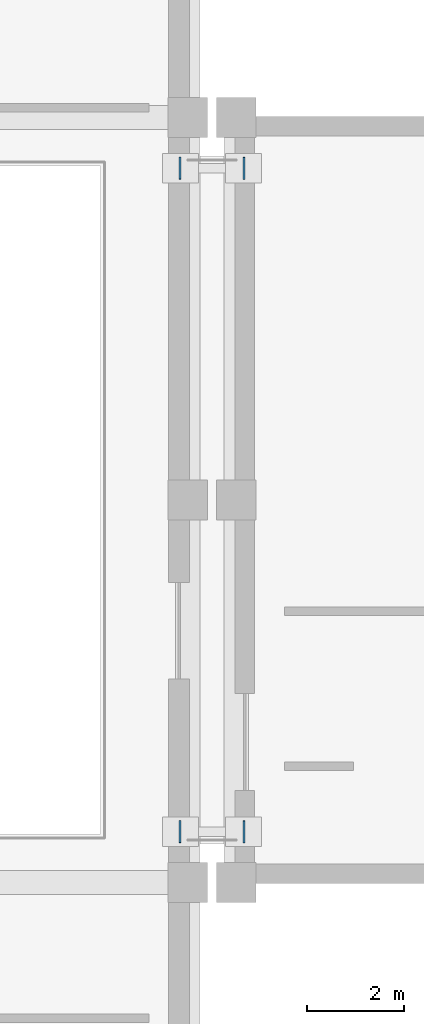
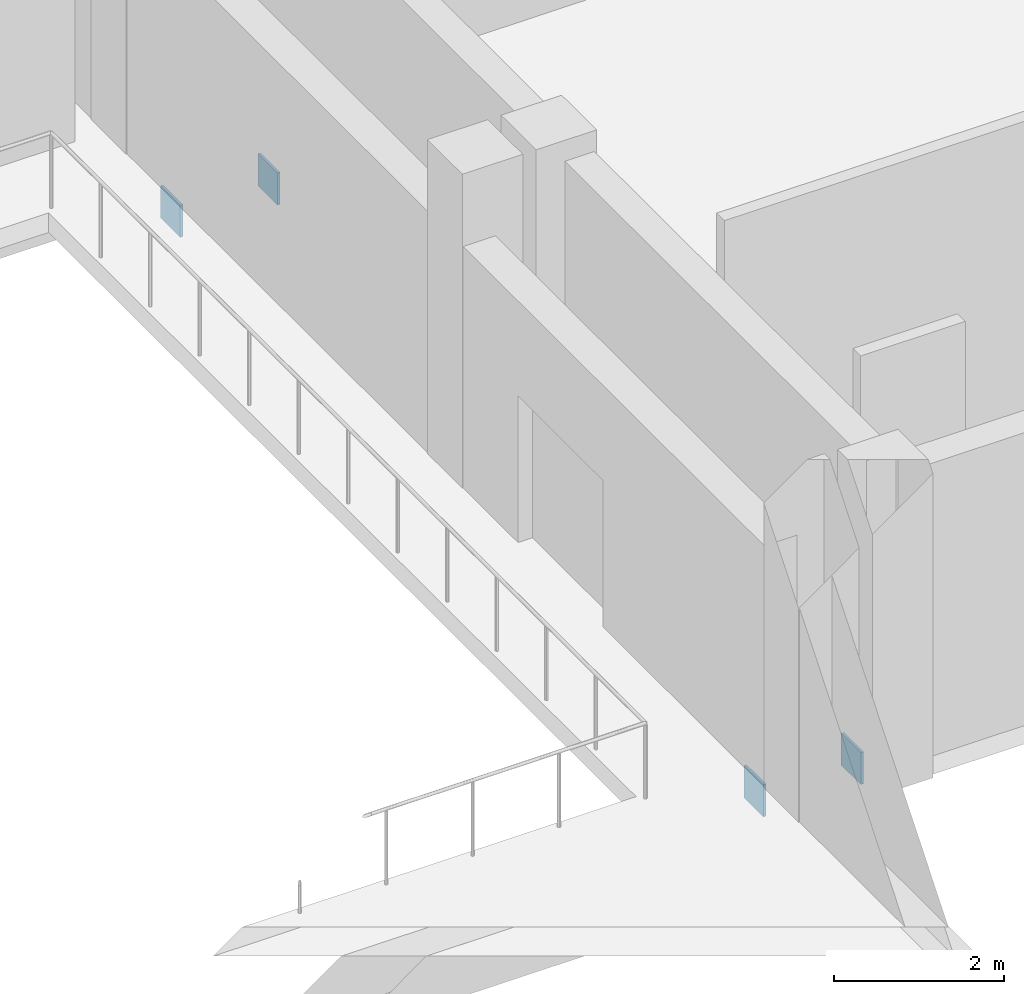
# One storey, part 6 of 7: 4 discrete accessories.
"""IFC4 building model written with IfcOpenShell, lengths in metres."""

from ifc_helpers import new_model, si_unit, direction, frame, origin, origin_2d, place, context, subcontext, project, spatial, rectangle, extrude, material, material_profile, profile_set, type_object, element, save


model = new_model("IFC4")

# Units and contexts
model_context = context("Model", 3, precision=1e-05, world=origin(), true_north=direction((0.0, 1.0)))
body_context = subcontext(model_context, "Body", "Model", "MODEL_VIEW")
ifc_project = project(units=[si_unit("LENGTHUNIT", "METRE"), si_unit("AREAUNIT", "SQUARE_METRE"), si_unit("VOLUMEUNIT", "CUBIC_METRE"), si_unit("PLANEANGLEUNIT", "RADIAN"), si_unit("MASSUNIT", "GRAM", prefix="KILO")], contexts=[model_context])

# Site, building, storey
site_placement = place(None, origin())
site = spatial("IfcSite", under=ifc_project, at=site_placement, CompositionType="ELEMENT")
building_placement = place(site_placement, origin())
building = spatial("IfcBuilding", under=site, at=building_placement, Name="Kelarvand Opera House", CompositionType="ELEMENT")
storey_placement = place(building_placement, frame((0.0, 0.0, 24.0)))
storey = spatial("IfcBuildingStorey", under=building, at=storey_placement, Name="L05", CompositionType="ELEMENT", Elevation=24.0)

# Discrete accessories
ifc_material = material(Name="Steel S355", Category="steel")
ifc_material_profile = material_profile(ifc_material, rectangle(XDim=0.4599609375, YDim=0.4599609375, at=origin_2d()), Name="Welded Steel Hollow End-Cap Plate 460x460x24", Category="steel")
ifc_profile_set = profile_set([ifc_material_profile], Name="Steel S355")
discrete_accessory_type = type_object("IfcDiscreteAccessoryType", Name="Welded Steel Hollow End-Cap Plate 460x460x24", PredefinedType="SHOE", material=ifc_profile_set)
for number, where, z_axis, x_axis, name in (
    (1, (87.85791015625, 55.64990234375, -0.52001953125), (-1.0, 0.0, 0.0), (0.0, -1.0, 0.0), "Hollow Section Welded End Cap 77"),
    (2, (89.14208984375, 55.64990234375, -0.52001953125), (1.0, 0.0, 0.0), (0.0, 1.0, 0.0), "Hollow Section Welded End Cap 78"),
    (3, (87.85791015625, 69.35009765625, -0.52001953125), (-1.0, 0.0, 0.0), (0.0, -1.0, 0.0), "Hollow Section Welded End Cap 79"),
    (4, (89.14208984375, 69.35009765625, -0.52001953125), (1.0, 0.0, 0.0), (0.0, 1.0, 0.0), "Hollow Section Welded End Cap 80"),
):
    element("IfcDiscreteAccessory", number, at=place(storey_placement, frame(where, z_axis=z_axis, x_axis=x_axis)), inside=storey, type_object=discrete_accessory_type, Name=name, PredefinedType="SHOE", context=body_context, shape_type="SweptSolid", body=[
        extrude(rectangle(XDim=0.4599609375, YDim=0.4599609375, at=origin_2d()), origin(), (0.0, 0.0, 1.0), 0.035888671875),
    ])

save(model, "model.ifc")
